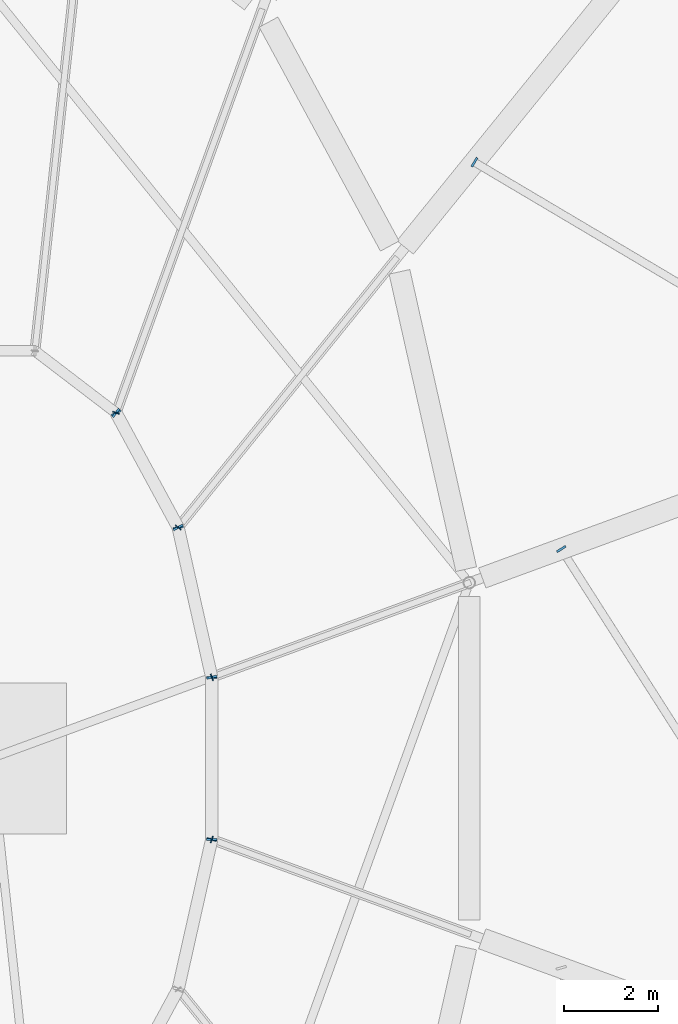
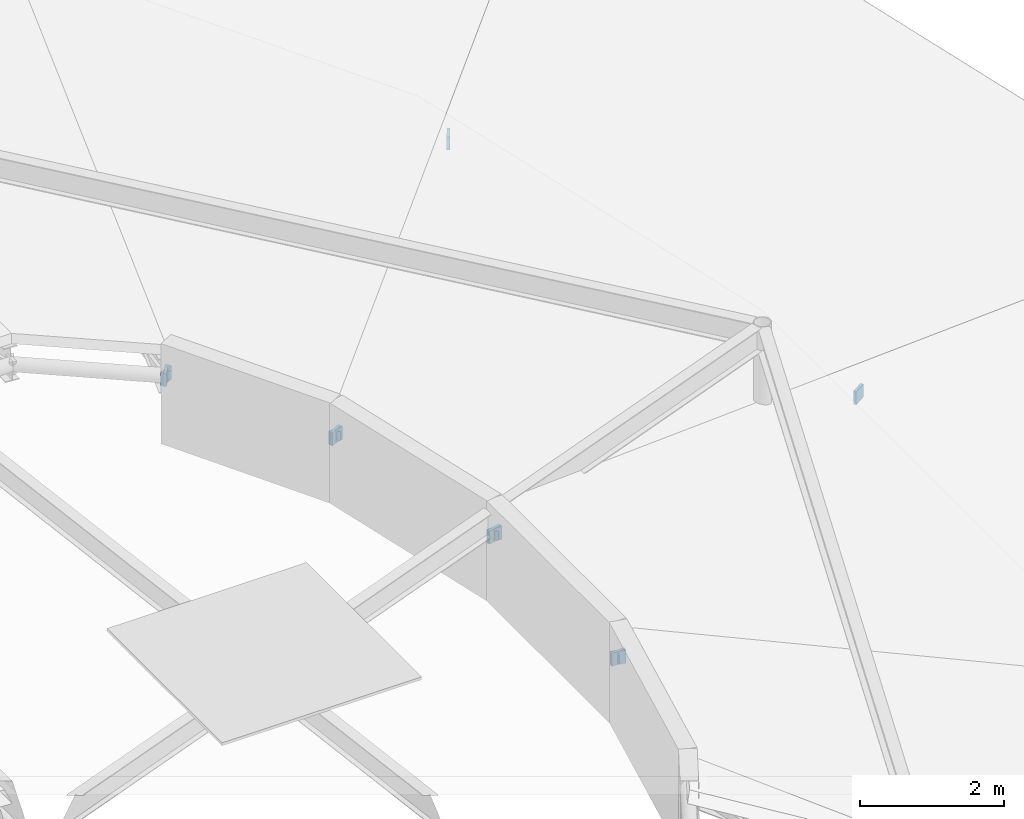
# One storey, part 26 of 39: 14 plates.
"""IFC4 building model written with IfcOpenShell, lengths in metres."""

from ifc_helpers import new_model, si_unit, direction, frame, origin, origin_2d, place, context, subcontext, project, spatial, rectangle, extrude, material, layer, layer_set, type_object, element, save


model = new_model("IFC4")

# Units and contexts
model_context = context("Model", 3, precision=1e-05, world=origin(), true_north=direction((0.0, 1.0)))
body_context = subcontext(model_context, "Body", "Model", "MODEL_VIEW")
ifc_project = project(units=[si_unit("LENGTHUNIT", "METRE"), si_unit("AREAUNIT", "SQUARE_METRE"), si_unit("VOLUMEUNIT", "CUBIC_METRE"), si_unit("PLANEANGLEUNIT", "RADIAN"), si_unit("MASSUNIT", "GRAM", prefix="KILO")], contexts=[model_context])

# Site, building, storey
site_placement = place(None, origin())
site = spatial("IfcSite", under=ifc_project, at=site_placement, CompositionType="ELEMENT")
building_placement = place(site_placement, origin())
building = spatial("IfcBuilding", under=site, at=building_placement, Name="Corvandel Quay Wholesale Market", CompositionType="ELEMENT")
storey_placement = place(building_placement, frame((0.0, 0.0, 15.0)))
storey = spatial("IfcBuildingStorey", under=building, at=storey_placement, Name="L03", CompositionType="ELEMENT", Elevation=15.0)

# Plates
ifc_material = material(Name="Steel A572 Grade 50", Category="steel")
ifc_layer_1 = layer(ifc_material, 0.044921875)
ifc_layer_set_1 = layer_set([ifc_layer_1], Name="Steel A572 Grade 50")
plate_type_1 = type_object("IfcPlateType", Name="Steel Brace End Cap Plate PLT02 45mm", PredefinedType="SHEET", material=ifc_layer_set_1)
for number, where, z_axis, x_axis, name in (
    (1, (199.1796875, 61.720947265625, 3.06982421875), (0.0, 0.0, 1.0), (0.975764231414, 0.21882450661, 0.0), "HSS Cap Plate PLT-0032"),
    (2, (198.468505859375, 64.89208984375, 3.06982421875), (0.0, 0.0, 1.0), (0.975764231414, 0.21882450661, 0.0), "HSS Cap Plate PLT-0033"),
    (3, (204.751220703125, 72.64208984375, 1.19970703125), (0.0, 0.0, 1.0), (0.509792360946, 0.860297476877, 0.0), "HSS Cap Plate PLT-0035"),
    (4, (198.467041015625, 64.895751953125, 3.06982421875), (0.0, 0.0, 1.0), (0.879233177551, 0.476391666061, 0.0), "HSS Cap Plate PLT-0037"),
    (5, (197.152099609375, 67.3232421875, 3.06982421875), (0.0, 0.0, 1.0), (0.879233177551, 0.476391666061, 0.0), "HSS Cap Plate PLT-0038"),
    (6, (197.1494140625, 67.326171875, 3.06982421875), (0.0, 0.0, 1.0), (0.607375839723, 0.794414620535, 0.0), "HSS Cap Plate PLT-0042"),
    (7, (199.1796875, 58.279052734375, 3.06982421875), (0.0, 0.0, 1.0), (-0.975764231414, 0.21882450661, 0.0), "HSS Cap Plate PLT-0103"),
    (8, (199.179931640625, 58.282958984375, 3.06982421875), (0.0, 0.0, 1.0), (1.0, 0.0, 0.0), "HSS Cap Plate PLT-0107"),
    (9, (199.179931640625, 61.717041015625, 3.06982421875), (0.0, 0.0, 1.0), (1.0, 0.0, 0.0), "HSS Cap Plate PLT-0108"),
    (10, (206.591064453125, 64.438232421875, 1.19970703125), (0.0, 0.0, 1.0), (0.842734381236, 0.53832960413, 0.0), "HSS Cap Plate PLT-0110"),
):
    element("IfcPlate", number, at=place(storey_placement, frame(where, z_axis=z_axis, x_axis=x_axis)), inside=storey, type_object=plate_type_1, Name=name, PredefinedType="SHEET", context=body_context, shape_type="SweptSolid", body=[
        extrude(rectangle(XDim=0.219970703125, YDim=0.044921875, at=origin_2d()), origin(), (0.0, 0.0, 1.0), 0.219970703125),
    ])
ifc_layer_2 = layer(ifc_material, 0.02001953125)
ifc_layer_set_2 = layer_set([ifc_layer_2], Name="Steel A572 Grade 50")
plate_type_2 = type_object("IfcPlateType", Name="Steel HSS End Cap Plate PLT01 20mm", PredefinedType="SHEET", material=ifc_layer_set_2)
for number, where, z_axis, x_axis, name in (
    (11, (199.181640625, 61.719482421875, 3.10546875), (0.0, 0.0, 1.0), (-0.344642923175, 0.938733857654, 0.0), "HSS Cap Plate PLT-0031"),
    (12, (198.468994140625, 64.8955078125, 3.105712890625), (0.0, 0.0, 1.0), (-0.776816343556, 0.629727217439, 0.0), "HSS Cap Plate PLT-0036"),
    (13, (197.151611328125, 67.32666015625, 3.105712890625), (0.0, 0.0, 1.0), (-0.94028812701, 0.340379550213, 0.0), "HSS Cap Plate PLT-0041"),
    (14, (199.181640625, 58.280517578125, 3.10546875), (0.0, 0.0, 1.0), (0.344642923175, 0.938733857654, 0.0), "HSS Cap Plate PLT-0106"),
):
    element("IfcPlate", number, at=place(storey_placement, frame(where, z_axis=z_axis, x_axis=x_axis)), inside=storey, type_object=plate_type_2, Name=name, PredefinedType="SHEET", context=body_context, shape_type="SweptSolid", body=[
        extrude(rectangle(XDim=0.14697265625, YDim=0.02001953125, at=origin_2d()), origin(), (0.0, 0.0, 1.0), 0.14697265625),
    ])

save(model, "model.ifc")
